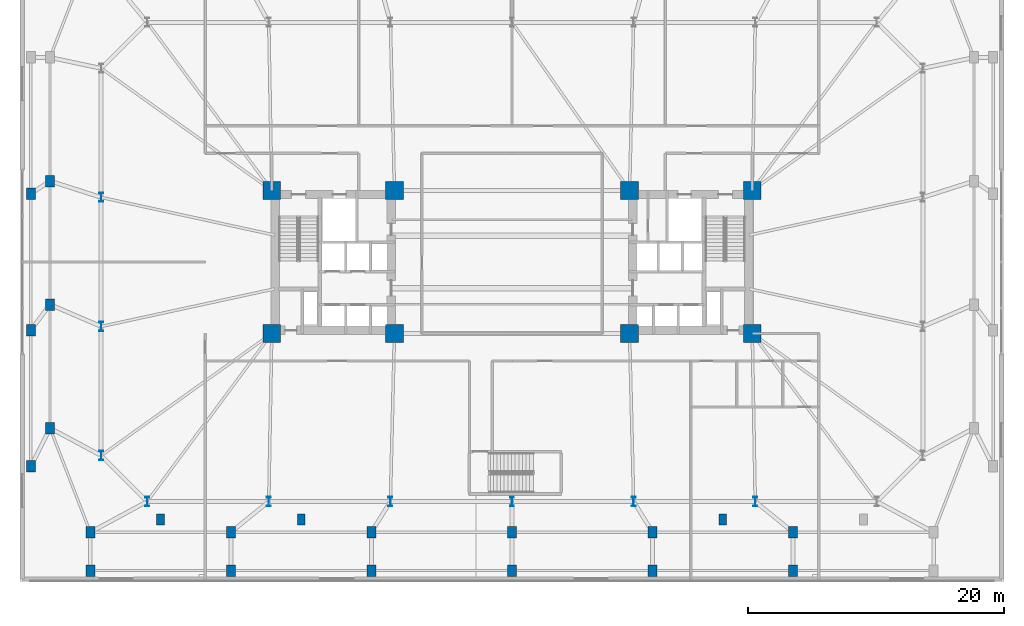
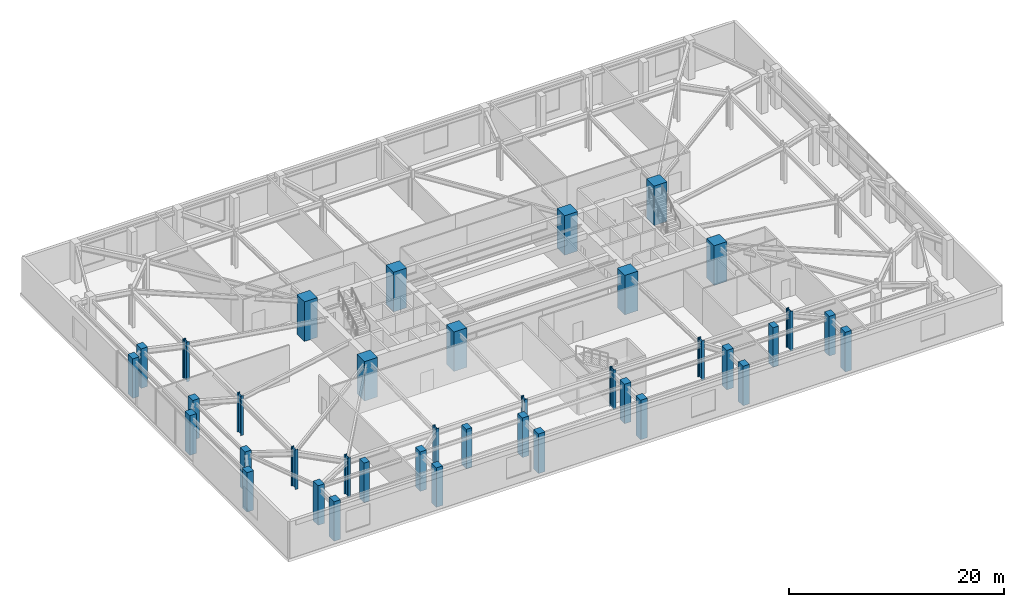
# One storey, part 1 of 23: 38 columns.
"""IFC4 building model written with IfcOpenShell, lengths in metres."""

from ifc_helpers import new_model, si_unit, direction, frame, origin, origin_2d, place, context, subcontext, project, spatial, rectangle, i_section, extrude, material, material_profile, profile_set, type_object, element, save


model = new_model("IFC4")

# Units and contexts
model_context = context("Model", 3, precision=1e-05, world=origin(), true_north=direction((0.0, 1.0)))
body_context = subcontext(model_context, "Body", "Model", "MODEL_VIEW")
ifc_project = project(units=[si_unit("LENGTHUNIT", "METRE"), si_unit("AREAUNIT", "SQUARE_METRE"), si_unit("VOLUMEUNIT", "CUBIC_METRE"), si_unit("PLANEANGLEUNIT", "RADIAN"), si_unit("MASSUNIT", "GRAM", prefix="KILO")], contexts=[model_context])

# Site, building, storey
site_placement = place(None, origin())
site = spatial("IfcSite", under=ifc_project, at=site_placement, CompositionType="ELEMENT")
building_placement = place(site_placement, origin())
building = spatial("IfcBuilding", under=site, at=building_placement, Name="Qobustan Lattice House", CompositionType="ELEMENT")
storey_placement = place(building_placement, frame((0.0, 0.0, 9.0)))
storey = spatial("IfcBuildingStorey", under=building, at=storey_placement, Name="L02", CompositionType="ELEMENT", Elevation=9.0)

# Columns
ifc_material_1 = material(Name="Concrete C50/60", Category="concrete")
ifc_material_profile_1 = material_profile(ifc_material_1, rectangle(XDim=0.60009765625, YDim=0.85009765625, at=origin_2d()), Name="RC600x850")
ifc_profile_set_1 = profile_set([ifc_material_profile_1], Name="Concrete C50/60")
column_type_1 = type_object("IfcColumnType", Name="COL-PIL-600x850", PredefinedType="PILASTER", material=ifc_profile_set_1)
for number, where, z_axis, x_axis, name in (
    (1, (-27.5, -20.14990234375, 0.0), (0.0, 0.0, 1.0), (1.0, 0.0, 0.0), "L02 colonnade pilaster S1"),
    (2, (-16.5, -20.14990234375, 0.0), (0.0, 0.0, 1.0), (1.0, 0.0, 0.0), "L02 colonnade pilaster S2"),
    (3, (16.5, -20.14990234375, 0.0), (0.0, 0.0, 1.0), (1.0, 0.0, 0.0), "L02 colonnade pilaster S3"),
):
    element("IfcColumn", number, at=place(storey_placement, frame(where, z_axis=z_axis, x_axis=x_axis)), inside=storey, type_object=column_type_1, Name=name, PredefinedType="PILASTER", context=body_context, shape_type="SweptSolid", body=[
        extrude(rectangle(XDim=0.60009765625, YDim=0.85009765625, at=origin_2d()), origin(), (0.0, 0.0, 1.0), 4.5),
    ])
ifc_material_2 = material(Name="Concrete C60/75", Category="concrete")
ifc_material_profile_2 = material_profile(ifc_material_2, rectangle(XDim=1.39990234375, YDim=1.39990234375, at=origin_2d()), Name="RC1400x1400")
ifc_profile_set_2 = profile_set([ifc_material_profile_2], Name="Concrete C60/75")
column_type_2 = type_object("IfcColumnType", Name="COL-RC-1400", PredefinedType="COLUMN", material=ifc_profile_set_2)
for number, where, z_axis, x_axis, name in (
    (4, (-18.800048828125, -5.60009765625, 0.0), (0.0, 0.0, 1.0), (1.0, 0.0, 0.0), "L02 core mega-column CW-SW"),
    (5, (-18.800048828125, 5.60009765625, 0.0), (0.0, 0.0, 1.0), (1.0, 0.0, 0.0), "L02 core mega-column CW-NW"),
    (6, (-9.199951171875, -5.60009765625, 0.0), (0.0, 0.0, 1.0), (1.0, 0.0, 0.0), "L02 core mega-column CW-SE"),
    (7, (-9.199951171875, 5.60009765625, 0.0), (0.0, 0.0, 1.0), (1.0, 0.0, 0.0), "L02 core mega-column CW-NE"),
    (8, (9.199951171875, -5.60009765625, 0.0), (0.0, 0.0, 1.0), (1.0, 0.0, 0.0), "L02 core mega-column CE-SW"),
    (9, (9.199951171875, 5.60009765625, 0.0), (0.0, 0.0, 1.0), (1.0, 0.0, 0.0), "L02 core mega-column CE-NW"),
    (10, (18.800048828125, -5.60009765625, 0.0), (0.0, 0.0, 1.0), (1.0, 0.0, 0.0), "L02 core mega-column CE-SE"),
    (11, (18.800048828125, 5.60009765625, 0.0), (0.0, 0.0, 1.0), (1.0, 0.0, 0.0), "L02 core mega-column CE-NE"),
):
    element("IfcColumn", number, at=place(storey_placement, frame(where, z_axis=z_axis, x_axis=x_axis)), inside=storey, type_object=column_type_2, Name=name, PredefinedType="COLUMN", context=body_context, shape_type="SweptSolid", body=[
        extrude(rectangle(XDim=1.39990234375, YDim=1.39990234375, at=origin_2d()), origin(), (0.0, 0.0, 1.0), 4.5),
    ])
ifc_material_3 = material(Name="Concrete C50/60", Category="concrete")
ifc_material_profile_3 = material_profile(ifc_material_3, rectangle(XDim=0.699951171875, YDim=0.89990234375, at=origin_2d()), Name="RC700x900")
ifc_profile_set_3 = profile_set([ifc_material_profile_3], Name="Concrete C50/60")
column_type_3 = type_object("IfcColumnType", Name="COL-RC-700x900", PredefinedType="COLUMN", material=ifc_profile_set_3)
for number, where, z_axis, x_axis, name in (
    (12, (-33.0, -21.14990234375, 0.0), (0.0, 0.0, 1.0), (1.0, 0.0, 0.0), "L02 podium column PS1"),
    (13, (-22.0, -21.14990234375, 0.0), (0.0, 0.0, 1.0), (1.0, 0.0, 0.0), "L02 podium column PS2"),
    (14, (-11.0, -21.14990234375, 0.0), (0.0, 0.0, 1.0), (1.0, 0.0, 0.0), "L02 podium column PS3"),
    (15, (0.0, -21.14990234375, 0.0), (0.0, 0.0, 1.0), (1.0, 0.0, 0.0), "L02 podium column PS4"),
    (16, (11.0, -21.14990234375, 0.0), (0.0, 0.0, 1.0), (1.0, 0.0, 0.0), "L02 podium column PS5"),
    (17, (22.0, -21.14990234375, 0.0), (0.0, 0.0, 1.0), (1.0, 0.0, 0.0), "L02 podium column PS6"),
    (18, (-36.14990234375, -13.0, 0.0), (0.0, 0.0, 1.0), (1.0, 0.0, 0.0), "L02 podium column PW1"),
    (19, (-36.14990234375, -3.333251953125, 0.0), (0.0, 0.0, 1.0), (1.0, 0.0, 0.0), "L02 podium column PW2"),
    (20, (-36.14990234375, 6.33349609375, 0.0), (0.0, 0.0, 1.0), (1.0, 0.0, 0.0), "L02 podium column PW3"),
    (21, (-33.0, -24.14990234375, 0.0), (0.0, 0.0, 1.0), (1.0, 0.0, 0.0), "L02 lower podium perimeter column PSL1"),
    (22, (-22.0, -24.14990234375, 0.0), (0.0, 0.0, 1.0), (1.0, 0.0, 0.0), "L02 lower podium perimeter column PSL2"),
    (23, (-11.0, -24.14990234375, 0.0), (0.0, 0.0, 1.0), (1.0, 0.0, 0.0), "L02 lower podium perimeter column PSL3"),
    (24, (0.0, -24.14990234375, 0.0), (0.0, 0.0, 1.0), (1.0, 0.0, 0.0), "L02 lower podium perimeter column PSL4"),
    (25, (11.0, -24.14990234375, 0.0), (0.0, 0.0, 1.0), (1.0, 0.0, 0.0), "L02 lower podium perimeter column PSL5"),
    (26, (22.0, -24.14990234375, 0.0), (0.0, 0.0, 1.0), (1.0, 0.0, 0.0), "L02 lower podium perimeter column PSL6"),
    (27, (-37.64990234375, -16.0, 0.0), (0.0, 0.0, 1.0), (1.0, 0.0, 0.0), "L02 lower podium perimeter column PWL1"),
    (28, (-37.64990234375, -5.333251953125, 0.0), (0.0, 0.0, 1.0), (1.0, 0.0, 0.0), "L02 lower podium perimeter column PWL2"),
    (29, (-37.64990234375, 5.33349609375, 0.0), (0.0, 0.0, 1.0), (1.0, 0.0, 0.0), "L02 lower podium perimeter column PWL3"),
):
    element("IfcColumn", number, at=place(storey_placement, frame(where, z_axis=z_axis, x_axis=x_axis)), inside=storey, type_object=column_type_3, Name=name, PredefinedType="COLUMN", context=body_context, shape_type="SweptSolid", body=[
        extrude(rectangle(XDim=0.699951171875, YDim=0.89990234375, at=origin_2d()), origin(), (0.0, 0.0, 1.0), 4.5),
    ])
ifc_material_4 = material(Name="Steel S460", Category="steel")
ifc_material_profile_4 = material_profile(ifc_material_4, i_section(OverallWidth=0.303955078125, OverallDepth=0.716064453125, WebThickness=0.02099609375, FlangeThickness=0.0400390625, FilletRadius=0.027099609375, at=origin_2d()), Name="HEM700")
ifc_profile_set_4 = profile_set([ifc_material_profile_4], Name="Steel S460")
column_type_4 = type_object("IfcColumnType", Name="COL-ST-HEM700", PredefinedType="COLUMN", material=ifc_profile_set_4)
for number, where, z_axis, x_axis, name in (
    (30, (-28.550048828125, -18.75, 0.0), (0.0, 0.0, 1.0), (1.0, 0.0, 0.0), "L02 tower base column S1"),
    (31, (-19.033203125, -18.75, 0.0), (0.0, 0.0, 1.0), (1.0, 0.0, 0.0), "L02 tower base column S2"),
    (32, (-9.5166015625, -18.75, 0.0), (0.0, 0.0, 1.0), (1.0, 0.0, 0.0), "L02 tower base column S3"),
    (33, (0.0, -18.75, 0.0), (0.0, 0.0, 1.0), (1.0, 0.0, 0.0), "L02 tower base column S4"),
    (34, (9.5166015625, -18.75, 0.0), (0.0, 0.0, 1.0), (1.0, 0.0, 0.0), "L02 tower base column S5"),
    (35, (19.033203125, -18.75, 0.0), (0.0, 0.0, 1.0), (1.0, 0.0, 0.0), "L02 tower base column S6"),
    (36, (-32.14990234375, 5.050048828125, 0.0), (0.0, 0.0, 1.0), (1.0, 0.0, 0.0), "L02 tower base column W2"),
    (37, (-32.14990234375, -5.050048828125, 0.0), (0.0, 0.0, 1.0), (1.0, 0.0, 0.0), "L02 tower base column W3"),
    (38, (-32.14990234375, -15.14990234375, 0.0), (0.0, 0.0, 1.0), (1.0, 0.0, 0.0), "L02 tower base column W4"),
):
    element("IfcColumn", number, at=place(storey_placement, frame(where, z_axis=z_axis, x_axis=x_axis)), inside=storey, type_object=column_type_4, Name=name, PredefinedType="COLUMN", context=body_context, shape_type="SweptSolid", body=[
        extrude(i_section(OverallWidth=0.303955078125, OverallDepth=0.716064453125, WebThickness=0.02099609375, FlangeThickness=0.0400390625, FilletRadius=0.027099609375, at=origin_2d()), origin(), (0.0, 0.0, 1.0), 4.5),
    ])

save(model, "model.ifc")
